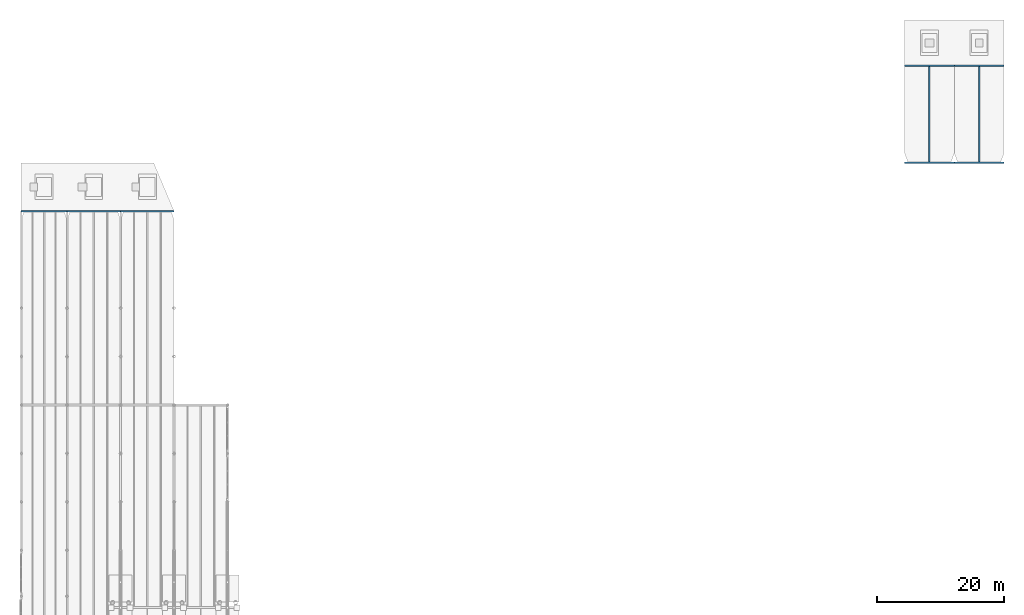
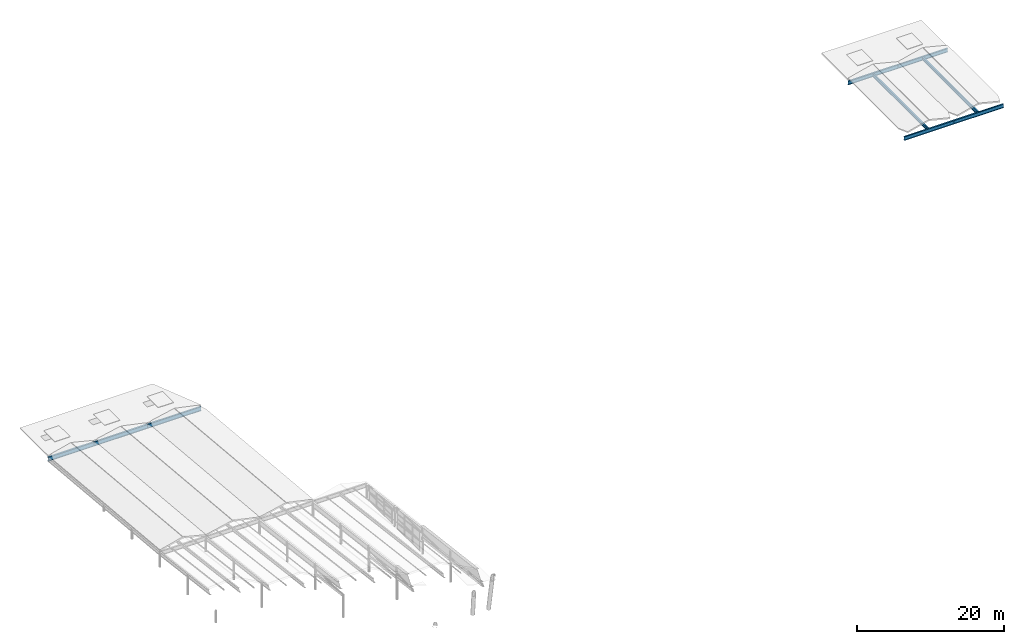
# One storey, part 10 of 14: 9 beams.
"""IFC4 building model written with IfcOpenShell, lengths in metres."""

from ifc_helpers import new_model, si_unit, direction, frame, origin, origin_2d, place, context, subcontext, project, spatial, i_section, extrude, material, material_profile, profile_set, type_object, element, save


model = new_model("IFC4")

# Units and contexts
model_context = context("Model", 3, precision=1e-05, world=origin(), true_north=direction((0.0, 1.0)))
body_context = subcontext(model_context, "Body", "Model", "MODEL_VIEW")
ifc_project = project(units=[si_unit("LENGTHUNIT", "METRE"), si_unit("AREAUNIT", "SQUARE_METRE"), si_unit("VOLUMEUNIT", "CUBIC_METRE"), si_unit("PLANEANGLEUNIT", "RADIAN"), si_unit("MASSUNIT", "GRAM", prefix="KILO")], contexts=[model_context])

# Site, building, storey
site_placement = place(None, origin())
site = spatial("IfcSite", under=ifc_project, at=site_placement, CompositionType="ELEMENT")
building_placement = place(site_placement, origin())
building = spatial("IfcBuilding", under=site, at=building_placement, Name="Xicomal Pleat Aquarium", CompositionType="ELEMENT")
storey_placement = place(building_placement, frame((0.0, 0.0, 24.0)))
storey = spatial("IfcBuildingStorey", under=building, at=storey_placement, Name="RF", CompositionType="ELEMENT", Elevation=24.0)

# Beams
ifc_material_1 = material(Name="Structural steel A992 Gr 50", Category="steel")
ifc_material_profile_1 = material_profile(ifc_material_1, i_section(OverallWidth=0.2119140625, OverallDepth=0.5439453125, WebThickness=0.01318359375, FlangeThickness=0.021240234375, at=origin_2d()), Name="IR 530x123")
ifc_profile_set_1 = profile_set([ifc_material_profile_1], Name="Structural steel A992 Gr 50")
beam_type_1 = type_object("IfcBeamType", Name="BM-STL-IR530", PredefinedType="BEAM", material=ifc_profile_set_1)
for number, where, z_axis, x_axis, name in (
    (1, (145.5, 76.0, -0.580078125), (0.0, 1.0, 0.0), (-1.0, 0.0, 0.0), "East wing pleated ridge beam 1"),
    (2, (153.300048828125, 76.0, -0.580078125), (0.0, 1.0, 0.0), (-1.0, 0.0, 0.0), "East wing pleated ridge beam 2"),
):
    element("IfcBeam", number, at=place(storey_placement, frame(where, z_axis=z_axis, x_axis=x_axis)), inside=storey, type_object=beam_type_1, Name=name, PredefinedType="BEAM", context=body_context, shape_type="SweptSolid", body=[
        extrude(i_section(OverallWidth=0.2119140625, OverallDepth=0.5439453125, WebThickness=0.01318359375, FlangeThickness=0.021240234375, at=origin_2d()), origin(), (0.0, 0.0, 1.0), 15.199951171875),
    ])
ifc_material_2 = material(Name="Structural steel A992 Gr 50", Category="steel")
ifc_material_profile_2 = material_profile(ifc_material_2, i_section(OverallWidth=0.22998046875, OverallDepth=0.616943359375, WebThickness=0.01318359375, FlangeThickness=0.022216796875, at=origin_2d()), Name="IR 610x140")
ifc_profile_set_2 = profile_set([ifc_material_profile_2], Name="Structural steel A992 Gr 50")
beam_type_2 = type_object("IfcBeamType", Name="BM-STL-IR610", PredefinedType="BEAM", material=ifc_profile_set_2)
for number, where, z_axis, x_axis, name in (
    (3, (141.60009765625, 76.0, -0.580078125), (1.0, 0.0, 0.0), (0.0, 1.0, 0.0), "East canopy ring girder S 18-19"),
    (4, (141.60009765625, 91.199951171875, -0.580078125), (1.0, 0.0, 0.0), (0.0, 1.0, 0.0), "East canopy ring girder N 18-19"),
):
    element("IfcBeam", number, at=place(storey_placement, frame(where, z_axis=z_axis, x_axis=x_axis)), inside=storey, type_object=beam_type_2, Name=name, PredefinedType="BEAM", context=body_context, shape_type="SweptSolid", body=[
        extrude(i_section(OverallWidth=0.22998046875, OverallDepth=0.616943359375, WebThickness=0.01318359375, FlangeThickness=0.022216796875, at=origin_2d()), origin(), (0.0, 0.0, 1.0), 7.7998046875),
    ])
for number, where, z_axis, x_axis, name in (
    (5, (149.39990234375, 76.0, -0.580078125), (1.0, 0.0, 0.0), (0.0, 1.0, 0.0), "East canopy ring girder S 19-20"),
    (6, (149.39990234375, 91.199951171875, -0.580078125), (1.0, 0.0, 0.0), (0.0, 1.0, 0.0), "East canopy ring girder N 19-20"),
):
    element("IfcBeam", number, at=place(storey_placement, frame(where, z_axis=z_axis, x_axis=x_axis)), inside=storey, type_object=beam_type_2, Name=name, PredefinedType="BEAM", context=body_context, shape_type="SweptSolid", body=[
        extrude(i_section(OverallWidth=0.22998046875, OverallDepth=0.616943359375, WebThickness=0.01318359375, FlangeThickness=0.022216796875, at=origin_2d()), origin(), (0.0, 0.0, 1.0), 7.800048828125),
    ])
ifc_material_3 = material(Name="Structural steel A992 Gr 50", Category="steel")
ifc_material_profile_3 = material_profile(ifc_material_3, i_section(OverallWidth=0.256103515625, OverallDepth=0.693115234375, WebThickness=0.014404296875, FlangeThickness=0.023681640625, at=origin_2d()), Name="IR 690x170")
ifc_profile_set_3 = profile_set([ifc_material_profile_3], Name="Structural steel A992 Gr 50")
beam_type_3 = type_object("IfcBeamType", Name="BM-STL-IR690", PredefinedType="BEAM", material=ifc_profile_set_3)
beam_1_placement = place(storey_placement, frame((3.0, 68.39990234375, -0.580078125), z_axis=(1.0, 0.0, 0.0), x_axis=(0.0, 1.0, 0.0)))
element("IfcBeam", 7, at=beam_1_placement, inside=storey, type_object=beam_type_3, Name="RF T2 ring girder N 01-02", PredefinedType="BEAM", context=body_context, shape_type="SweptSolid", body=[
    extrude(i_section(OverallWidth=0.256103515625, OverallDepth=0.693115234375, WebThickness=0.014404296875, FlangeThickness=0.023681640625, at=origin_2d()), origin(), (0.0, 0.0, 1.0), 7.199951171875),
])
beam_2_placement = place(storey_placement, frame((10.199951171875, 68.39990234375, -0.580078125), z_axis=(1.0, 0.0, 0.0), x_axis=(0.0, 1.0, 0.0)))
element("IfcBeam", 8, at=beam_2_placement, inside=storey, type_object=beam_type_3, Name="RF T2 ring girder N 02-03", PredefinedType="BEAM", context=body_context, shape_type="SweptSolid", body=[
    extrude(i_section(OverallWidth=0.256103515625, OverallDepth=0.693115234375, WebThickness=0.014404296875, FlangeThickness=0.023681640625, at=origin_2d()), origin(), (0.0, 0.0, 1.0), 8.400146484375),
])
beam_3_placement = place(storey_placement, frame((18.60009765625, 68.39990234375, -0.580078125), z_axis=(1.0, 0.0, 0.0), x_axis=(0.0, 1.0, 0.0)))
element("IfcBeam", 9, at=beam_3_placement, inside=storey, type_object=beam_type_3, Name="RF T2 ring girder N 03-04", PredefinedType="BEAM", context=body_context, shape_type="SweptSolid", body=[
    extrude(i_section(OverallWidth=0.256103515625, OverallDepth=0.693115234375, WebThickness=0.014404296875, FlangeThickness=0.023681640625, at=origin_2d()), origin(), (0.0, 0.0, 1.0), 8.39990234375),
])

save(model, "model.ifc")
